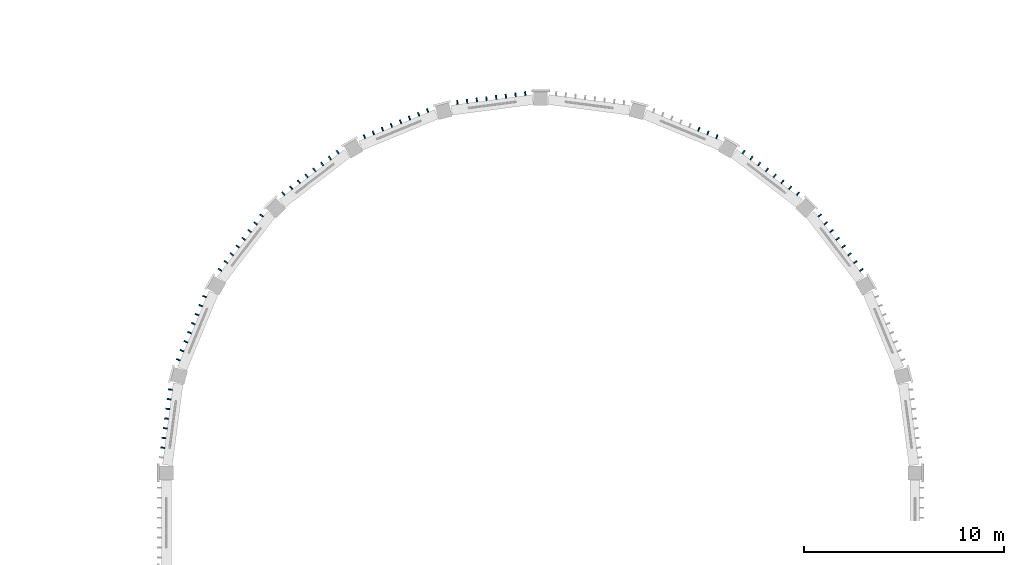
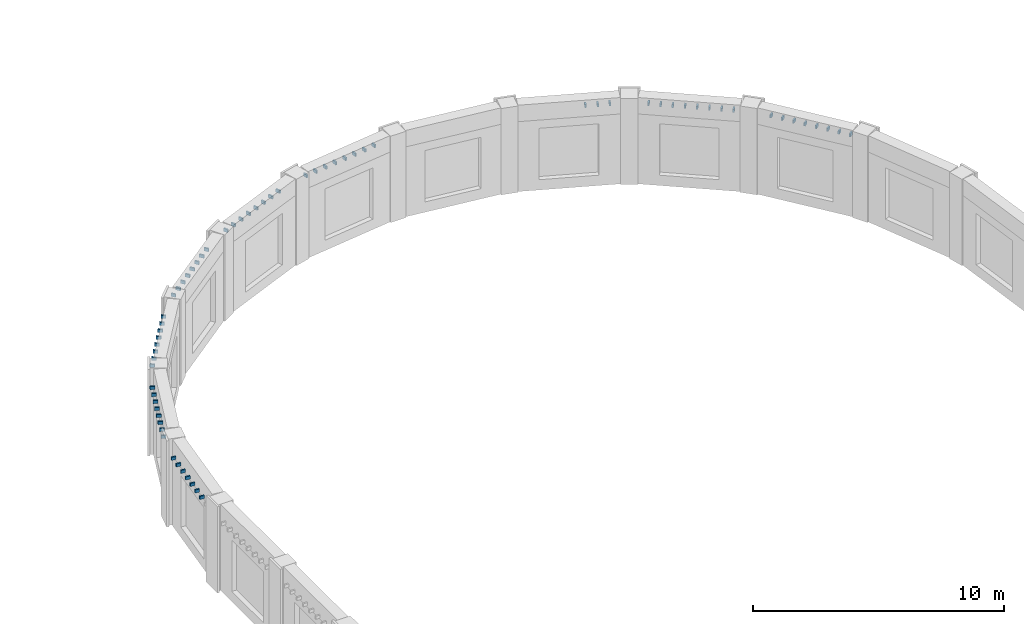
# One storey, part 57 of 71: 66 discrete accessories.
"""IFC4 building model written with IfcOpenShell, lengths in metres."""

from ifc_helpers import new_model, si_unit, direction, frame, origin, origin_2d, place, context, subcontext, project, spatial, rectangle, extrude, material, type_object, element, save


model = new_model("IFC4")

# Units and contexts
model_context = context("Model", 3, precision=1e-05, world=origin(), true_north=direction((0.0, 1.0)))
body_context = subcontext(model_context, "Body", "Model", "MODEL_VIEW")
ifc_project = project(units=[si_unit("LENGTHUNIT", "METRE"), si_unit("AREAUNIT", "SQUARE_METRE"), si_unit("VOLUMEUNIT", "CUBIC_METRE"), si_unit("PLANEANGLEUNIT", "RADIAN"), si_unit("MASSUNIT", "GRAM", prefix="KILO")], contexts=[model_context])

# Site, building, storey
site_placement = place(None, origin())
site = spatial("IfcSite", under=ifc_project, at=site_placement, CompositionType="ELEMENT")
building_placement = place(site_placement, origin())
building = spatial("IfcBuilding", under=site, at=building_placement, Name="Wasatch Bagh Community Centre", CompositionType="ELEMENT")
storey_placement = place(building_placement, frame((0.0, 0.0, 12.60009765625)))
storey = spatial("IfcBuildingStorey", under=building, at=storey_placement, Name="L03", CompositionType="ELEMENT", Elevation=12.60009765625)

# Discrete accessories
ifc_material = material(Name="ASTM A36 steel", Category="steel")
discrete_accessory_type = type_object("IfcDiscreteAccessoryType", Name="MH fin bracket", PredefinedType="BRACKET", material=ifc_material)
for number, where, z_axis, x_axis, name in (
    (1, (52.068603515625, 75.170654296875, 3.474853515625), (0.0, 0.0, 1.0), (-0.608761429009, 0.793353340291, 0.0), "Fin bracket 21.2.3"),
    (2, (51.770751953125, 75.558837890625, 3.474853515625), (0.0, 0.0, 1.0), (-0.608761429009, 0.793353340291, 0.0), "Fin bracket 21.3.3"),
    (3, (51.47265625, 75.947265625, 3.474853515625), (0.0, 0.0, 1.0), (-0.608761429009, 0.793353340291, 0.0), "Fin bracket 21.4.3"),
    (4, (51.1748046875, 76.33544921875, 3.474853515625), (0.0, 0.0, 1.0), (-0.608761429009, 0.793353340291, 0.0), "Fin bracket 21.5.3"),
    (5, (50.876708984375, 76.723876953125, 3.474853515625), (0.0, 0.0, 1.0), (-0.608761429009, 0.793353340291, 0.0), "Fin bracket 21.6.3"),
    (6, (50.578857421875, 77.112060546875, 3.474853515625), (0.0, 0.0, 1.0), (-0.608761429009, 0.793353340291, 0.0), "Fin bracket 21.7.3"),
    (7, (50.28076171875, 77.50048828125, 3.474853515625), (0.0, 0.0, 1.0), (-0.608761429009, 0.793353340291, 0.0), "Fin bracket 21.8.3"),
    (8, (49.98291015625, 77.888916015625, 3.474853515625), (0.0, 0.0, 1.0), (-0.608761429009, 0.793353340291, 0.0), "Fin bracket 21.9.3"),
    (9, (48.888916015625, 78.98291015625, 3.474853515625), (0.0, 0.0, 1.0), (-0.793353340291, 0.608761429009, 0.0), "Fin bracket 22.2.3"),
    (10, (48.50048828125, 79.28076171875, 3.474853515625), (0.0, 0.0, 1.0), (-0.793353340291, 0.608761429009, 0.0), "Fin bracket 22.3.3"),
    (11, (48.112060546875, 79.578857421875, 3.474853515625), (0.0, 0.0, 1.0), (-0.793353340291, 0.608761429009, 0.0), "Fin bracket 22.4.3"),
    (12, (47.723876953125, 79.876708984375, 3.474853515625), (0.0, 0.0, 1.0), (-0.793353340291, 0.608761429009, 0.0), "Fin bracket 22.5.3"),
    (13, (47.33544921875, 80.1748046875, 3.474853515625), (0.0, 0.0, 1.0), (-0.793353340291, 0.608761429009, 0.0), "Fin bracket 22.6.3"),
    (14, (46.947265625, 80.47265625, 3.474853515625), (0.0, 0.0, 1.0), (-0.793353340291, 0.608761429009, 0.0), "Fin bracket 22.7.3"),
    (15, (46.558837890625, 80.770751953125, 3.474853515625), (0.0, 0.0, 1.0), (-0.793353340291, 0.608761429009, 0.0), "Fin bracket 22.8.3"),
    (16, (46.170654296875, 81.068603515625, 3.474853515625), (0.0, 0.0, 1.0), (-0.793353340291, 0.608761429009, 0.0), "Fin bracket 22.9.3"),
    (17, (44.83056640625, 81.84228515625, 3.474853515625), (0.0, 0.0, 1.0), (-0.923879532511, 0.382683432365, 0.0), "Fin bracket 23.2.3"),
    (18, (44.37841796875, 82.029541015625, 3.474853515625), (0.0, 0.0, 1.0), (-0.923879532511, 0.382683432365, 0.0), "Fin bracket 23.3.3"),
    (19, (43.92626953125, 82.217041015625, 3.474853515625), (0.0, 0.0, 1.0), (-0.923879532511, 0.382683432365, 0.0), "Fin bracket 23.4.3"),
    (20, (35.226318359375, 84.001220703125, 3.474853515625), (0.0, 0.0, 1.0), (-0.991444861374, -0.13052619222, 0.0), "Fin bracket 25.2.3"),
    (21, (34.7412109375, 83.937255859375, 3.474853515625), (0.0, 0.0, 1.0), (-0.991444861374, -0.13052619222, 0.0), "Fin bracket 25.3.3"),
    (22, (34.255859375, 83.873291015625, 3.474853515625), (0.0, 0.0, 1.0), (-0.991444861374, -0.13052619222, 0.0), "Fin bracket 25.4.3"),
    (23, (33.7705078125, 83.8095703125, 3.474853515625), (0.0, 0.0, 1.0), (-0.991444861374, -0.13052619222, 0.0), "Fin bracket 25.5.3"),
    (24, (33.28515625, 83.74560546875, 3.474853515625), (0.0, 0.0, 1.0), (-0.991444861374, -0.13052619222, 0.0), "Fin bracket 25.6.3"),
    (25, (32.800048828125, 83.681640625, 3.474853515625), (0.0, 0.0, 1.0), (-0.991444861374, -0.13052619222, 0.0), "Fin bracket 25.7.3"),
    (26, (32.314697265625, 83.617919921875, 3.474853515625), (0.0, 0.0, 1.0), (-0.991444861374, -0.13052619222, 0.0), "Fin bracket 25.8.3"),
    (27, (31.829345703125, 83.553955078125, 3.474853515625), (0.0, 0.0, 1.0), (-0.991444861374, -0.13052619222, 0.0), "Fin bracket 25.9.3"),
    (28, (30.3349609375, 83.153564453125, 3.474853515625), (0.0, 0.0, 1.0), (-0.923879532511, -0.382683432365, 0.0), "Fin bracket 26.2.3"),
    (29, (29.882568359375, 82.966064453125, 3.474853515625), (0.0, 0.0, 1.0), (-0.923879532511, -0.382683432365, 0.0), "Fin bracket 26.3.3"),
    (30, (29.430419921875, 82.77880859375, 3.474853515625), (0.0, 0.0, 1.0), (-0.923879532511, -0.382683432365, 0.0), "Fin bracket 26.4.3"),
    (31, (28.978271484375, 82.591552734375, 3.474853515625), (0.0, 0.0, 1.0), (-0.923879532511, -0.382683432365, 0.0), "Fin bracket 26.5.3"),
    (32, (28.526123046875, 82.404296875, 3.474853515625), (0.0, 0.0, 1.0), (-0.923879532511, -0.382683432365, 0.0), "Fin bracket 26.6.3"),
    (33, (28.07373046875, 82.217041015625, 3.474853515625), (0.0, 0.0, 1.0), (-0.923879532511, -0.382683432365, 0.0), "Fin bracket 26.7.3"),
    (34, (27.62158203125, 82.029541015625, 3.474853515625), (0.0, 0.0, 1.0), (-0.923879532511, -0.382683432365, 0.0), "Fin bracket 26.8.3"),
    (35, (27.16943359375, 81.84228515625, 3.474853515625), (0.0, 0.0, 1.0), (-0.923879532511, -0.382683432365, 0.0), "Fin bracket 26.9.3"),
    (36, (25.829345703125, 81.068603515625, 3.474853515625), (0.0, 0.0, 1.0), (-0.793353340291, -0.608761429009, 0.0), "Fin bracket 27.2.3"),
    (37, (25.441162109375, 80.770751953125, 3.474853515625), (0.0, 0.0, 1.0), (-0.793353340291, -0.608761429009, 0.0), "Fin bracket 27.3.3"),
    (38, (25.052734375, 80.47265625, 3.474853515625), (0.0, 0.0, 1.0), (-0.793353340291, -0.608761429009, 0.0), "Fin bracket 27.4.3"),
    (39, (24.66455078125, 80.1748046875, 3.474853515625), (0.0, 0.0, 1.0), (-0.793353340291, -0.608761429009, 0.0), "Fin bracket 27.5.3"),
    (40, (24.276123046875, 79.876708984375, 3.474853515625), (0.0, 0.0, 1.0), (-0.793353340291, -0.608761429009, 0.0), "Fin bracket 27.6.3"),
    (41, (23.887939453125, 79.578857421875, 3.474853515625), (0.0, 0.0, 1.0), (-0.793353340291, -0.608761429009, 0.0), "Fin bracket 27.7.3"),
    (42, (23.49951171875, 79.28076171875, 3.474853515625), (0.0, 0.0, 1.0), (-0.793353340291, -0.608761429009, 0.0), "Fin bracket 27.8.3"),
    (43, (23.111083984375, 78.98291015625, 3.474853515625), (0.0, 0.0, 1.0), (-0.793353340291, -0.608761429009, 0.0), "Fin bracket 27.9.3"),
    (44, (22.01708984375, 77.888916015625, 3.474853515625), (0.0, 0.0, 1.0), (-0.608761429009, -0.793353340291, 0.0), "Fin bracket 28.2.3"),
    (45, (21.71923828125, 77.50048828125, 3.474853515625), (0.0, 0.0, 1.0), (-0.608761429009, -0.793353340291, 0.0), "Fin bracket 28.3.3"),
    (46, (21.421142578125, 77.112060546875, 3.474853515625), (0.0, 0.0, 1.0), (-0.608761429009, -0.793353340291, 0.0), "Fin bracket 28.4.3"),
    (47, (21.123291015625, 76.723876953125, 3.474853515625), (0.0, 0.0, 1.0), (-0.608761429009, -0.793353340291, 0.0), "Fin bracket 28.5.3"),
    (48, (20.8251953125, 76.33544921875, 3.474853515625), (0.0, 0.0, 1.0), (-0.608761429009, -0.793353340291, 0.0), "Fin bracket 28.6.3"),
    (49, (20.52734375, 75.947265625, 3.474853515625), (0.0, 0.0, 1.0), (-0.608761429009, -0.793353340291, 0.0), "Fin bracket 28.7.3"),
    (50, (20.229248046875, 75.558837890625, 3.474853515625), (0.0, 0.0, 1.0), (-0.608761429009, -0.793353340291, 0.0), "Fin bracket 28.8.3"),
    (51, (19.931396484375, 75.170654296875, 3.474853515625), (0.0, 0.0, 1.0), (-0.608761429009, -0.793353340291, 0.0), "Fin bracket 28.9.3"),
    (52, (19.15771484375, 73.83056640625, 3.474853515625), (0.0, 0.0, 1.0), (-0.382683432365, -0.923879532511, 0.0), "Fin bracket 29.2.3"),
    (53, (18.970458984375, 73.37841796875, 3.474853515625), (0.0, 0.0, 1.0), (-0.382683432365, -0.923879532511, 0.0), "Fin bracket 29.3.3"),
    (54, (18.782958984375, 72.92626953125, 3.474853515625), (0.0, 0.0, 1.0), (-0.382683432365, -0.923879532511, 0.0), "Fin bracket 29.4.3"),
    (55, (18.595703125, 72.473876953125, 3.474853515625), (0.0, 0.0, 1.0), (-0.382683432365, -0.923879532511, 0.0), "Fin bracket 29.5.3"),
    (56, (18.408447265625, 72.021728515625, 3.474853515625), (0.0, 0.0, 1.0), (-0.382683432365, -0.923879532511, 0.0), "Fin bracket 29.6.3"),
    (57, (18.22119140625, 71.569580078125, 3.474853515625), (0.0, 0.0, 1.0), (-0.382683432365, -0.923879532511, 0.0), "Fin bracket 29.7.3"),
    (58, (18.033935546875, 71.117431640625, 3.474853515625), (0.0, 0.0, 1.0), (-0.382683432365, -0.923879532511, 0.0), "Fin bracket 29.8.3"),
    (59, (17.846435546875, 70.6650390625, 3.474853515625), (0.0, 0.0, 1.0), (-0.382683432365, -0.923879532511, 0.0), "Fin bracket 29.9.3"),
    (60, (17.446044921875, 69.170654296875, 3.474853515625), (0.0, 0.0, 1.0), (-0.13052619222, -0.991444861374, 0.0), "Fin bracket 30.2.3"),
    (61, (17.382080078125, 68.685302734375, 3.474853515625), (0.0, 0.0, 1.0), (-0.13052619222, -0.991444861374, 0.0), "Fin bracket 30.3.3"),
    (62, (17.318359375, 68.199951171875, 3.474853515625), (0.0, 0.0, 1.0), (-0.13052619222, -0.991444861374, 0.0), "Fin bracket 30.4.3"),
    (63, (17.25439453125, 67.71484375, 3.474853515625), (0.0, 0.0, 1.0), (-0.13052619222, -0.991444861374, 0.0), "Fin bracket 30.5.3"),
    (64, (17.1904296875, 67.2294921875, 3.474853515625), (0.0, 0.0, 1.0), (-0.13052619222, -0.991444861374, 0.0), "Fin bracket 30.6.3"),
    (65, (17.126708984375, 66.744140625, 3.474853515625), (0.0, 0.0, 1.0), (-0.13052619222, -0.991444861374, 0.0), "Fin bracket 30.7.3"),
    (66, (17.062744140625, 66.2587890625, 3.474853515625), (0.0, 0.0, 1.0), (-0.13052619222, -0.991444861374, 0.0), "Fin bracket 30.8.3"),
):
    element("IfcDiscreteAccessory", number, at=place(storey_placement, frame(where, z_axis=z_axis, x_axis=x_axis)), inside=storey, type_object=discrete_accessory_type, Name=name, PredefinedType="BRACKET", context=body_context, shape_type="SweptSolid", body=[
        extrude(rectangle(XDim=0.070068359375, YDim=0.199951171875, at=origin_2d()), origin(), (0.0, 0.0, 1.0), 0.14990234375),
    ])

save(model, "model.ifc")
